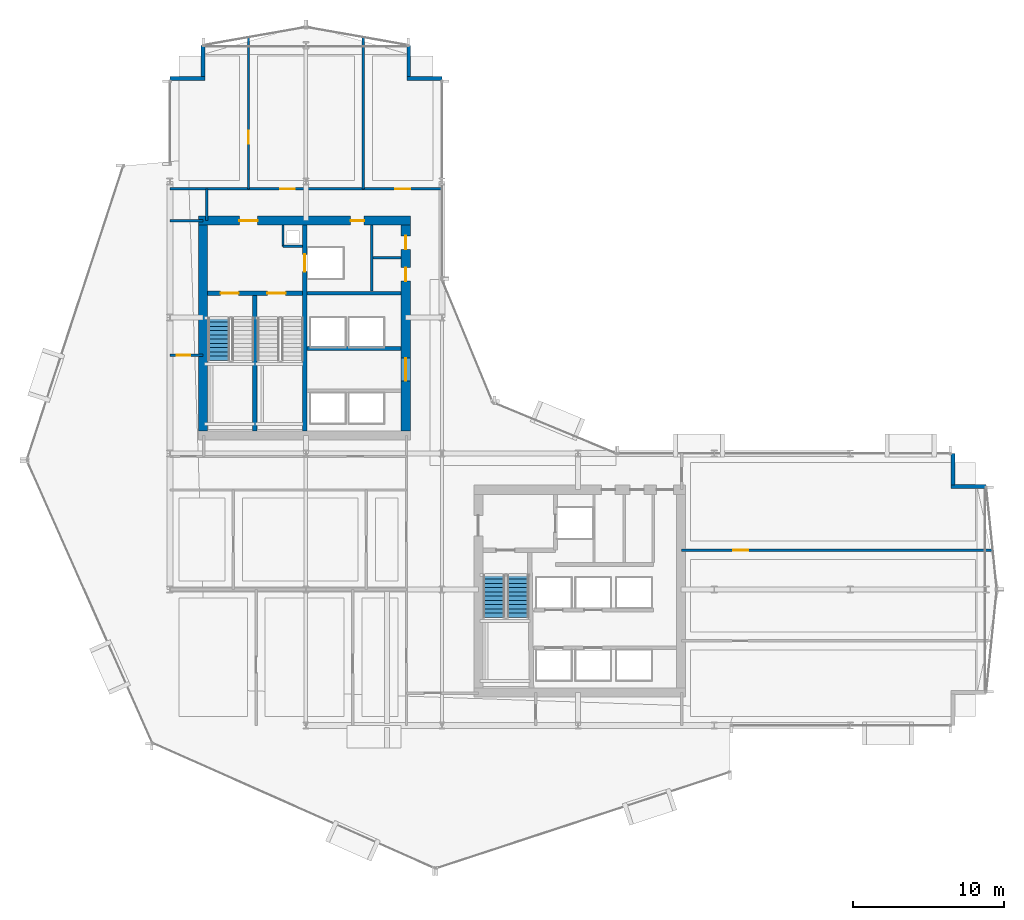
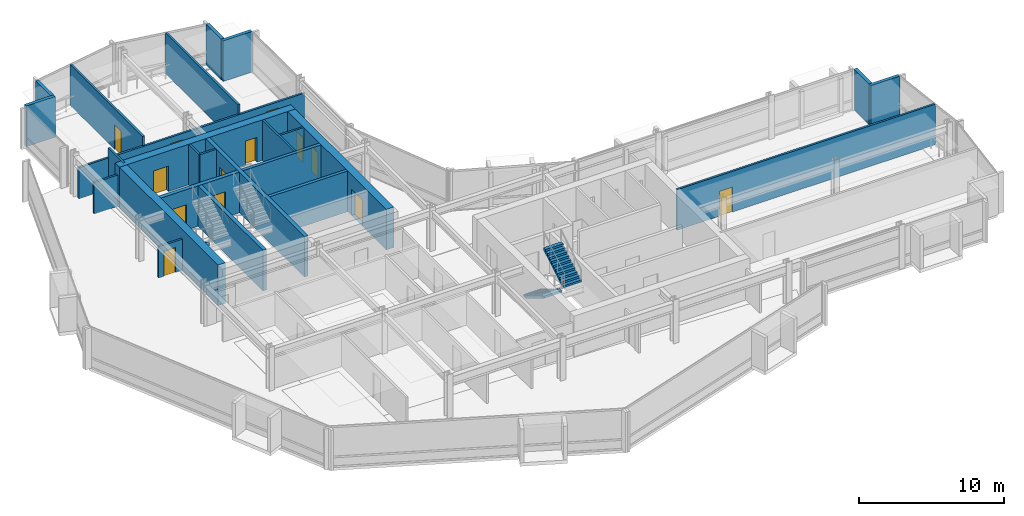
# One storey, part 28 of 34: 25 walls, 13 doors, 3 stair flights, 13 openings, 2 elements without a shape of their own.
"""IFC4 building model written with IfcOpenShell, lengths in metres."""

from ifc_helpers import new_model, si_unit, direction, frame, frame_2d, origin, place, context, subcontext, project, spatial, polyline, rectangle, outline, extrude, material, layer, layer_set, type_object, element, fill, aggregate, save


model = new_model("IFC4")

# Units and contexts
model_context = context("Model", 3, precision=1e-05, world=origin(), true_north=direction((0.0, 1.0)))
body_context = subcontext(model_context, "Body", "Model", "MODEL_VIEW")
ifc_project = project(units=[si_unit("LENGTHUNIT", "METRE"), si_unit("AREAUNIT", "SQUARE_METRE"), si_unit("VOLUMEUNIT", "CUBIC_METRE"), si_unit("PLANEANGLEUNIT", "RADIAN"), si_unit("MASSUNIT", "GRAM", prefix="KILO")], contexts=[model_context])

# Site, building, storey
site_placement = place(None, origin())
site = spatial("IfcSite", under=ifc_project, at=site_placement, CompositionType="ELEMENT")
building_placement = place(site_placement, origin())
building = spatial("IfcBuilding", under=site, at=building_placement, Name="Solvaryn Broadcast Tower", CompositionType="ELEMENT")
storey_placement = place(building_placement, frame((0.0, 0.0, 76.699951171875)))
storey = spatial("IfcBuildingStorey", under=building, at=storey_placement, Name="L18", CompositionType="ELEMENT", Elevation=76.699951171875)

# Wall, openings, doors
ifc_material_1 = material(Name="Concrete f'c 70 MPa", Category="concrete")
ifc_layer_1 = layer(ifc_material_1, 0.60009765625)
ifc_layer_set_1 = layer_set([ifc_layer_1], Name="CW-SHEAR-600")
wall_type_1 = type_object("IfcWallType", Name="CW-SHEAR-600", PredefinedType="SHEAR", material=ifc_layer_set_1)
wall_1_placement = place(storey_placement, frame((24.89990234375, 42.39990234375, 0.0), z_axis=(0.0, 0.0, 1.0), x_axis=(-1.0, 0.0, 0.0)))
wall_1 = element("IfcWall", 1, at=wall_1_placement, inside=storey, type_object=wall_type_1, Name="L18 West Core North Shear Wall", PredefinedType="SHEAR", context=body_context, shape_type="SweptSolid", body=[
    extrude(rectangle(XDim=14.0, YDim=0.60009765625, at=frame_2d((7.0, 0.0))), origin(), (0.0, 0.0, 1.0), 3.420166015625),
])
opening_1_placement = place(wall_1_placement, frame((10.10009765625, 0.0, 0.0)))
opening_1 = element("IfcOpeningElement", 2, at=opening_1_placement, cuts=wall_1, Name="Opening FD90A", PredefinedType="OPENING", context=body_context, shape_type="SweptSolid", body=[
    extrude(rectangle(XDim=1.199951171875, YDim=2.14990234375, at=frame_2d((0.60009765625, 1.074951171875))), frame((0.0, 0.31005859375, 0.0), z_axis=(0.0, -1.0, 0.0), x_axis=(1.0, 0.0, 0.0)), (0.0, 0.0, 1.0), 0.6201171875),
])
opening_2_placement = place(wall_1_placement, frame((3.050048828125, 0.0, 0.0)))
opening_2 = element("IfcOpeningElement", 3, at=opening_2_placement, cuts=wall_1, Name="Opening FD60C", PredefinedType="OPENING", context=body_context, shape_type="SweptSolid", body=[
    extrude(rectangle(XDim=0.89990234375, YDim=2.10009765625, at=frame_2d((0.449951171875, 1.050048828125))), frame((0.0, 0.31005859375, 0.0), z_axis=(0.0, -1.0, 0.0), x_axis=(1.0, 0.0, 0.0)), (0.0, 0.0, 1.0), 0.6201171875),
])
ifc_material_2 = material(Name="Flush Acoustic Steel and Timber Door Assembly", Category="steel")
door_type_1 = type_object("IfcDoorType", Name="FD60-SERV-900X2100", OperationType="NOTDEFINED", PredefinedType="DOOR", material=ifc_material_2)
door_1_placement = place(opening_2_placement, origin())
door_1 = element("IfcDoor", 4, at=door_1_placement, inside=storey, type_object=door_type_1, Name="L18 West Core Fiber Riser Door", OperationType="SINGLE_SWING_RIGHT", OverallHeight=2.10009765625, OverallWidth=0.89990234375, PredefinedType="DOOR", context=body_context, shape_type="SweptSolid", body=[
    extrude(rectangle(XDim=0.89990234375, YDim=2.10009765625, at=frame_2d((0.449951171875, 1.050048828125))), frame((0.0, 0.02490234375, 0.0), z_axis=(0.0, -1.0, 0.0), x_axis=(1.0, 0.0, 0.0)), (0.0, 0.0, 1.0), 0.050048828125),
])
fill(opening_2, door_1)
ifc_material_3 = material(Name="Flush Acoustic Steel and Timber Door Assembly", Category="steel")
door_type_2 = type_object("IfcDoorType", Name="FD90-STAIR-1200X2150", OperationType="NOTDEFINED", PredefinedType="DOOR", material=ifc_material_3)
door_2_placement = place(opening_1_placement, origin())
door_2 = element("IfcDoor", 5, at=door_2_placement, inside=storey, type_object=door_type_2, Name="L18 West FSAE Lobby Corridor Door", OperationType="SINGLE_SWING_LEFT", OverallHeight=2.14990234375, OverallWidth=1.199951171875, PredefinedType="DOOR", context=body_context, shape_type="SweptSolid", body=[
    extrude(rectangle(XDim=1.199951171875, YDim=2.14990234375, at=frame_2d((0.60009765625, 1.074951171875))), frame((0.0, 0.02490234375, 0.0), z_axis=(0.0, -1.0, 0.0), x_axis=(1.0, 0.0, 0.0)), (0.0, 0.0, 1.0), 0.050048828125),
])
fill(opening_1, door_2)

# Wall
wall_2_placement = place(storey_placement, frame((11.199951171875, 42.10009765625, 0.0), z_axis=(0.0, 0.0, 1.0), x_axis=(0.0, -1.0, 0.0)))
element("IfcWall", 6, at=wall_2_placement, inside=storey, type_object=wall_type_1, Name="L18 West Core West Shear Wall", PredefinedType="SHEAR", context=body_context, shape_type="SweptSolid", body=[
    extrude(rectangle(XDim=13.60009765625, YDim=0.60009765625, at=frame_2d((6.800048828125, 0.0))), origin(), (0.0, 0.0, 1.0), 3.420166015625),
])

# Wall, openings, doors
wall_3_placement = place(storey_placement, frame((24.60009765625, 28.5, 0.0), z_axis=(0.0, 0.0, 1.0), x_axis=(0.0, 1.0, 0.0)))
wall_3 = element("IfcWall", 7, at=wall_3_placement, inside=storey, type_object=wall_type_1, Name="L18 West Core East Shear Wall", PredefinedType="SHEAR", context=body_context, shape_type="SweptSolid", body=[
    extrude(rectangle(XDim=13.60009765625, YDim=0.60009765625, at=frame_2d((6.800048828125, 0.0))), origin(), (0.0, 0.0, 1.0), 3.420166015625),
])
opening_3_placement = place(wall_3_placement, frame((3.300048828125, 0.0, 0.0)))
opening_3 = element("IfcOpeningElement", 8, at=opening_3_placement, cuts=wall_3, Name="Opening FD60A", PredefinedType="OPENING", context=body_context, shape_type="SweptSolid", body=[
    extrude(rectangle(XDim=1.5, YDim=2.199951171875, at=frame_2d((0.75, 1.10009765625))), frame((0.0, 0.31005859375, 0.0), z_axis=(0.0, -1.0, 0.0), x_axis=(1.0, 0.0, 0.0)), (0.0, 0.0, 1.0), 0.6201171875),
])
opening_4_placement = place(wall_3_placement, frame((9.89990234375, 0.0, 0.0)))
opening_4 = element("IfcOpeningElement", 9, at=opening_4_placement, cuts=wall_3, Name="Opening FD60C", PredefinedType="OPENING", context=body_context, shape_type="SweptSolid", body=[
    extrude(rectangle(XDim=0.89990234375, YDim=2.10009765625, at=frame_2d((0.449951171875, 1.050048828125))), frame((0.0, 0.31005859375, 0.0), z_axis=(0.0, -1.0, 0.0), x_axis=(1.0, 0.0, 0.0)), (0.0, 0.0, 1.0), 0.6201171875),
])
opening_5_placement = place(wall_3_placement, frame((12.0, 0.0, 0.0)))
opening_5 = element("IfcOpeningElement", 10, at=opening_5_placement, cuts=wall_3, Name="Opening FD60C", PredefinedType="OPENING", context=body_context, shape_type="SweptSolid", body=[
    extrude(rectangle(XDim=0.89990234375, YDim=2.10009765625, at=frame_2d((0.449951171875, 1.050048828125))), frame((0.0, 0.31005859375, 0.0), z_axis=(0.0, -1.0, 0.0), x_axis=(1.0, 0.0, 0.0)), (0.0, 0.0, 1.0), 0.6201171875),
])
ifc_material_4 = material(Name="Flush Acoustic Steel and Timber Door Assembly", Category="steel")
door_type_3 = type_object("IfcDoorType", Name="FD60-CORR-1500X2200", OperationType="NOTDEFINED", PredefinedType="DOOR", material=ifc_material_4)
door_3_placement = place(opening_3_placement, origin())
door_3 = element("IfcDoor", 11, at=door_3_placement, inside=storey, type_object=door_type_3, Name="L18 West Elevator Lobby Corridor Door", OperationType="DOUBLE_DOOR_SINGLE_SWING", OverallHeight=2.199951171875, OverallWidth=1.5, PredefinedType="DOOR", context=body_context, shape_type="SweptSolid", body=[
    extrude(rectangle(XDim=1.5, YDim=2.199951171875, at=frame_2d((0.75, 1.10009765625))), frame((0.0, 0.02490234375, 0.0), z_axis=(0.0, -1.0, 0.0), x_axis=(1.0, 0.0, 0.0)), (0.0, 0.0, 1.0), 0.050048828125),
])
fill(opening_3, door_3)
door_4_placement = place(opening_4_placement, origin())
door_4 = element("IfcDoor", 12, at=door_4_placement, inside=storey, type_object=door_type_1, Name="L18 West Core Service Door 1", OperationType="SINGLE_SWING_LEFT", OverallHeight=2.10009765625, OverallWidth=0.89990234375, PredefinedType="DOOR", context=body_context, shape_type="SweptSolid", body=[
    extrude(rectangle(XDim=0.89990234375, YDim=2.10009765625, at=frame_2d((0.449951171875, 1.050048828125))), frame((0.0, 0.02490234375, 0.0), z_axis=(0.0, -1.0, 0.0), x_axis=(1.0, 0.0, 0.0)), (0.0, 0.0, 1.0), 0.050048828125),
])
fill(opening_4, door_4)
door_5_placement = place(opening_5_placement, origin())
door_5 = element("IfcDoor", 13, at=door_5_placement, inside=storey, type_object=door_type_1, Name="L18 West Core Janitor Door", OperationType="SINGLE_SWING_RIGHT", OverallHeight=2.10009765625, OverallWidth=0.89990234375, PredefinedType="DOOR", context=body_context, shape_type="SweptSolid", body=[
    extrude(rectangle(XDim=0.89990234375, YDim=2.10009765625, at=frame_2d((0.449951171875, 1.050048828125))), frame((0.0, 0.02490234375, 0.0), z_axis=(0.0, -1.0, 0.0), x_axis=(1.0, 0.0, 0.0)), (0.0, 0.0, 1.0), 0.050048828125),
])
fill(opening_5, door_5)

# Walls
ifc_material_5 = material(Name="Concrete f'c 50 MPa", Category="concrete")
ifc_layer_2 = layer(ifc_material_5, 0.260009765625)
ifc_layer_set_2 = layer_set([ifc_layer_2], Name="EW-PIER-260")
wall_type_2 = type_object("IfcWallType", Name="EW-PIER-260", PredefinedType="SOLIDWALL", material=ifc_layer_set_2)
wall_4_placement = place(storey_placement, frame((9.0, 51.800048828125, 0.0), z_axis=(0.0, 0.0, 1.0), x_axis=(1.0, 0.0, 0.0)))
element("IfcWall", 14, at=wall_4_placement, inside=storey, type_object=wall_type_2, Name="L18 Notched Corner Pier Wall NNW1", PredefinedType="SOLIDWALL", context=body_context, shape_type="SweptSolid", body=[
    extrude(rectangle(XDim=2.320068359375, YDim=0.260009765625, at=frame_2d((1.16015625, 0.0))), origin(), (0.0, 0.0, 1.0), 3.420166015625),
])
for number, where, z_axis, x_axis, name in (
    (15, (11.199951171875, 51.919921875, 0.0), (0.0, 0.0, 1.0), (0.0, 1.0, 0.0), "L18 Notched Corner Pier Wall NNW2"),
    (16, (24.800048828125, 54.0, 0.0), (0.0, 0.0, 1.0), (0.0, -1.0, 0.0), "L18 Notched Corner Pier Wall NNE1"),
):
    element("IfcWall", number, at=place(storey_placement, frame(where, z_axis=z_axis, x_axis=x_axis)), inside=storey, type_object=wall_type_2, Name=name, PredefinedType="SOLIDWALL", context=body_context, shape_type="SweptSolid", body=[
        extrude(rectangle(XDim=2.080078125, YDim=0.260009765625, at=frame_2d((1.0400390625, 0.0))), origin(), (0.0, 0.0, 1.0), 3.420166015625),
    ])
for number, where, z_axis, x_axis, name in (
    (17, (24.679931640625, 51.800048828125, 0.0), (0.0, 0.0, 1.0), (1.0, 0.0, 0.0), "L18 Notched Corner Pier Wall NNE2"),
    (18, (63.0, 24.800048828125, 0.0), (0.0, 0.0, 1.0), (-1.0, 0.0, 0.0), "L18 Notched Corner Pier Wall NEE1"),
):
    element("IfcWall", number, at=place(storey_placement, frame(where, z_axis=z_axis, x_axis=x_axis)), inside=storey, type_object=wall_type_2, Name=name, PredefinedType="SOLIDWALL", context=body_context, shape_type="SweptSolid", body=[
        extrude(rectangle(XDim=2.320068359375, YDim=0.260009765625, at=frame_2d((1.16015625, 0.0))), origin(), (0.0, 0.0, 1.0), 3.420166015625),
    ])
wall_5_placement = place(storey_placement, frame((60.800048828125, 24.919921875, 0.0), z_axis=(0.0, 0.0, 1.0), x_axis=(0.0, 1.0, 0.0)))
element("IfcWall", 19, at=wall_5_placement, inside=storey, type_object=wall_type_2, Name="L18 Notched Corner Pier Wall NEE2", PredefinedType="SOLIDWALL", context=body_context, shape_type="SweptSolid", body=[
    extrude(rectangle(XDim=2.080078125, YDim=0.260009765625, at=frame_2d((1.0400390625, 0.0))), origin(), (0.0, 0.0, 1.0), 3.420166015625),
])
ifc_material_6 = material(Name="Metal-Stud Service Core Partition")
ifc_layer_3 = layer(ifc_material_6, 0.14990234375)
ifc_layer_set_3 = layer_set([ifc_layer_3], Name="IW-PART-150")
wall_type_3 = type_object("IfcWallType", Name="IW-PART-150", PredefinedType="PARTITIONING", material=ifc_layer_set_3)
wall_6_placement = place(storey_placement, frame((16.47998046875, 40.699951171875, 0.0), z_axis=(0.0, 0.0, 1.0), x_axis=(1.0, 0.0, 0.0)))
element("IfcWall", 20, at=wall_6_placement, inside=storey, type_object=wall_type_3, Name="L18 West Core Riser Shaft South Wall", PredefinedType="PARTITIONING", context=body_context, shape_type="SweptSolid", body=[
    extrude(rectangle(XDim=1.2900390625, YDim=0.14990234375, at=frame_2d((0.64501953125, 0.0))), origin(), (0.0, 0.0, 1.0), 3.420166015625),
])
wall_7_placement = place(storey_placement, frame((16.47998046875, 40.699951171875, 0.0), z_axis=(0.0, 0.0, 1.0), x_axis=(0.0, 1.0, 0.0)))
element("IfcWall", 21, at=wall_7_placement, inside=storey, type_object=wall_type_3, Name="L18 West Core Riser Shaft West Wall", PredefinedType="PARTITIONING", context=body_context, shape_type="SweptSolid", body=[
    extrude(rectangle(XDim=1.400146484375, YDim=0.14990234375, at=frame_2d((0.7001953125, 0.0))), origin(), (0.0, 0.0, 1.0), 3.420166015625),
])
wall_8_placement = place(storey_placement, frame((22.35009765625, 37.72998046875, 0.0), z_axis=(0.0, 0.0, 1.0), x_axis=(0.0, 1.0, 0.0)))
element("IfcWall", 22, at=wall_8_placement, inside=storey, type_object=wall_type_3, Name="L18 Interior Partition IW-L18-CWS-V", PredefinedType="PARTITIONING", context=body_context, shape_type="SweptSolid", body=[
    extrude(rectangle(XDim=4.3701171875, YDim=0.14990234375, at=frame_2d((2.18505859375, 0.0))), origin(), (0.0, 0.0, 1.0), 3.420166015625),
])
wall_9_placement = place(storey_placement, frame((22.429931640625, 39.949951171875, 0.0), z_axis=(0.0, 0.0, 1.0), x_axis=(1.0, 0.0, 0.0)))
element("IfcWall", 23, at=wall_9_placement, inside=storey, type_object=wall_type_3, Name="L18 Interior Partition IW-L18-CWS-H", PredefinedType="PARTITIONING", context=body_context, shape_type="SweptSolid", body=[
    extrude(rectangle(XDim=1.8701171875, YDim=0.14990234375, at=frame_2d((0.93505859375, 0.0))), origin(), (0.0, 0.0, 1.0), 3.420166015625),
])

# Wall, opening, door
wall_10_placement = place(storey_placement, frame((9.0, 33.5, 0.0), z_axis=(0.0, 0.0, 1.0), x_axis=(1.0, 0.0, 0.0)))
wall_10 = element("IfcWall", 24, at=wall_10_placement, inside=storey, type_object=wall_type_3, Name="L18 Interior Partition IW-L18-WM-M", PredefinedType="PARTITIONING", context=body_context, shape_type="SweptSolid", body=[
    extrude(rectangle(XDim=2.199951171875, YDim=0.14990234375, at=frame_2d((1.10009765625, 0.0))), origin(), (0.0, 0.0, 1.0), 2.626953125),
])
opening_6_placement = place(wall_10_placement, frame((0.449951171875, 0.0, 0.0)))
opening_6 = element("IfcOpeningElement", 25, at=opening_6_placement, cuts=wall_10, Name="Opening FD60C", PredefinedType="OPENING", context=body_context, shape_type="SweptSolid", body=[
    extrude(rectangle(XDim=0.89990234375, YDim=2.10009765625, at=frame_2d((0.449951171875, 1.050048828125))), frame((0.0, 0.0849609375, 0.0), z_axis=(0.0, -1.0, 0.0), x_axis=(1.0, 0.0, 0.0)), (0.0, 0.0, 1.0), 0.169921875),
])
door_6_placement = place(opening_6_placement, origin())
door_6 = element("IfcDoor", 26, at=door_6_placement, inside=storey, type_object=door_type_1, Name="L18 Door DR-L18-WM1", OperationType="SINGLE_SWING_LEFT", OverallHeight=2.10009765625, OverallWidth=0.89990234375, PredefinedType="DOOR", context=body_context, shape_type="SweptSolid", body=[
    extrude(rectangle(XDim=0.89990234375, YDim=2.10009765625, at=frame_2d((0.449951171875, 1.050048828125))), frame((0.0, 0.02490234375, 0.0), z_axis=(0.0, -1.0, 0.0), x_axis=(1.0, 0.0, 0.0)), (0.0, 0.0, 1.0), 0.050048828125),
])
fill(opening_6, door_6)

# Walls
ifc_material_7 = material(Name="Metal-Stud Gypsum Office Partition")
ifc_layer_4 = layer(ifc_material_7, 0.159912109375)
ifc_layer_set_4 = layer_set([ifc_layer_4], Name="IW-PART-160")
wall_type_4 = type_object("IfcWallType", Name="IW-PART-160", PredefinedType="PARTITIONING", material=ifc_layer_set_4)
wall_11_placement = place(storey_placement, frame((9.0, 42.39990234375, 0.0), z_axis=(0.0, 0.0, 1.0), x_axis=(1.0, 0.0, 0.0)))
element("IfcWall", 27, at=wall_11_placement, inside=storey, type_object=wall_type_4, Name="L18 Interior Partition IW-L18-WM-N", PredefinedType="PARTITIONING", context=body_context, shape_type="SweptSolid", body=[
    extrude(rectangle(XDim=2.199951171875, YDim=0.159912109375, at=frame_2d((1.10009765625, 0.0))), origin(), (0.0, 0.0, 1.0), 2.626953125),
])
wall_12_placement = place(storey_placement, frame((11.449951171875, 42.39990234375, 0.0), z_axis=(0.0, 0.0, 1.0), x_axis=(0.0, 1.0, 0.0)))
element("IfcWall", 28, at=wall_12_placement, inside=storey, type_object=wall_type_4, Name="L18 Interior Partition IW-L18-WM-E", PredefinedType="PARTITIONING", context=body_context, shape_type="SweptSolid", body=[
    extrude(rectangle(XDim=2.10009765625, YDim=0.159912109375, at=frame_2d((1.050048828125, 0.0))), origin(), (0.0, 0.0, 1.0), 3.420166015625),
])

# Wall, openings, doors
wall_13_placement = place(storey_placement, frame((9.0, 44.5, 0.0), z_axis=(0.0, 0.0, 1.0), x_axis=(1.0, 0.0, 0.0)))
wall_13 = element("IfcWall", 29, at=wall_13_placement, inside=storey, type_object=wall_type_4, Name="L18 Interior Partition IW-L18-NW-SB", PredefinedType="PARTITIONING", context=body_context, shape_type="SweptSolid", body=[
    extrude(rectangle(XDim=18.0, YDim=0.159912109375, at=frame_2d((9.0, 0.0))), origin(), (0.0, 0.0, 1.0), 2.626953125),
])
opening_7_placement = place(wall_13_placement, frame((7.300048828125, 0.0, 0.0)))
opening_7 = element("IfcOpeningElement", 30, at=opening_7_placement, cuts=wall_13, Name="Opening ID01", PredefinedType="OPENING", context=body_context, shape_type="SweptSolid", body=[
    extrude(rectangle(XDim=0.949951171875, YDim=2.10009765625, at=frame_2d((0.47509765625, 1.050048828125))), frame((0.0, 0.090087890625, 0.0), z_axis=(0.0, -1.0, 0.0), x_axis=(1.0, 0.0, 0.0)), (0.0, 0.0, 1.0), 0.179931640625),
])
opening_8_placement = place(wall_13_placement, frame((14.89990234375, 0.0, 0.0)))
opening_8 = element("IfcOpeningElement", 31, at=opening_8_placement, cuts=wall_13, Name="Opening ID02", PredefinedType="OPENING", context=body_context, shape_type="SweptSolid", body=[
    extrude(rectangle(XDim=1.0, YDim=2.10009765625, at=frame_2d((0.5, 1.050048828125))), frame((0.0, 0.090087890625, 0.0), z_axis=(0.0, -1.0, 0.0), x_axis=(1.0, 0.0, 0.0)), (0.0, 0.0, 1.0), 0.179931640625),
])
ifc_material_8 = material(Name="Flush Acoustic Steel and Timber Door Assembly", Category="steel")
door_type_4 = type_object("IfcDoorType", Name="ID-01-950X2100", OperationType="NOTDEFINED", PredefinedType="DOOR", material=ifc_material_8)
door_7_placement = place(opening_7_placement, origin())
door_7 = element("IfcDoor", 32, at=door_7_placement, inside=storey, type_object=door_type_4, Name="L18 Door DR-L18-NW-2", OperationType="SINGLE_SWING_RIGHT", OverallHeight=2.10009765625, OverallWidth=0.949951171875, PredefinedType="DOOR", context=body_context, shape_type="SweptSolid", body=[
    extrude(rectangle(XDim=0.949951171875, YDim=2.10009765625, at=frame_2d((0.47509765625, 1.050048828125))), frame((0.0, 0.02490234375, 0.0), z_axis=(0.0, -1.0, 0.0), x_axis=(1.0, 0.0, 0.0)), (0.0, 0.0, 1.0), 0.050048828125),
])
fill(opening_7, door_7)
ifc_material_9 = material(Name="Flush Acoustic Steel and Timber Door Assembly", Category="steel")
door_type_5 = type_object("IfcDoorType", Name="ID-02-1000X2100", OperationType="NOTDEFINED", PredefinedType="DOOR", material=ifc_material_9)
door_8_placement = place(opening_8_placement, origin())
door_8 = element("IfcDoor", 33, at=door_8_placement, inside=storey, type_object=door_type_5, Name="L18 Door DR-L18-NW-3", OperationType="SINGLE_SWING_LEFT", OverallHeight=2.10009765625, OverallWidth=1.0, PredefinedType="DOOR", context=body_context, shape_type="SweptSolid", body=[
    extrude(rectangle(XDim=1.0, YDim=2.10009765625, at=frame_2d((0.5, 1.050048828125))), frame((0.0, 0.02490234375, 0.0), z_axis=(0.0, -1.0, 0.0), x_axis=(1.0, 0.0, 0.0)), (0.0, 0.0, 1.0), 0.050048828125),
])
fill(opening_8, door_8)

# Wall, opening, door
wall_14_placement = place(storey_placement, frame((14.199951171875, 44.5, 0.0), z_axis=(0.0, 0.0, 1.0), x_axis=(0.0, 1.0, 0.0)))
wall_14 = element("IfcWall", 34, at=wall_14_placement, inside=storey, type_object=wall_type_4, Name="L18 Interior Partition IW-L18-NW-V1", PredefinedType="PARTITIONING", context=body_context, shape_type="SweptSolid", body=[
    extrude(rectangle(XDim=10.029052734375, YDim=0.159912109375, at=frame_2d((5.0146484375, 0.0))), origin(), (0.0, 0.0, 1.0), 3.420166015625),
])
opening_9_placement = place(wall_14_placement, frame((3.0, 0.0, 0.0)))
opening_9 = element("IfcOpeningElement", 35, at=opening_9_placement, cuts=wall_14, Name="Opening ID07", PredefinedType="OPENING", context=body_context, shape_type="SweptSolid", body=[
    extrude(rectangle(XDim=0.860107421875, YDim=2.050048828125, at=frame_2d((0.43017578125, 1.02490234375))), frame((0.0, 0.090087890625, 0.0), z_axis=(0.0, -1.0, 0.0), x_axis=(1.0, 0.0, 0.0)), (0.0, 0.0, 1.0), 0.179931640625),
])
ifc_material_10 = material(Name="Flush Acoustic Steel and Timber Door Assembly", Category="steel")
door_type_6 = type_object("IfcDoorType", Name="ID-07-860X2050", OperationType="NOTDEFINED", PredefinedType="DOOR", material=ifc_material_10)
door_9_placement = place(opening_9_placement, origin())
door_9 = element("IfcDoor", 36, at=door_9_placement, inside=storey, type_object=door_type_6, Name="L18 Door DR-L18-NW-C1", OperationType="SINGLE_SWING_LEFT", OverallHeight=2.050048828125, OverallWidth=0.860107421875, PredefinedType="DOOR", context=body_context, shape_type="SweptSolid", body=[
    extrude(rectangle(XDim=0.860107421875, YDim=2.050048828125, at=frame_2d((0.43017578125, 1.02490234375))), frame((0.0, 0.02490234375, 0.0), z_axis=(0.0, -1.0, 0.0), x_axis=(1.0, 0.0, 0.0)), (0.0, 0.0, 1.0), 0.050048828125),
])
fill(opening_9, door_9)

# Wall
wall_15_placement = place(storey_placement, frame((21.800048828125, 44.5, 0.0), z_axis=(0.0, 0.0, 1.0), x_axis=(0.0, 1.0, 0.0)))
element("IfcWall", 37, at=wall_15_placement, inside=storey, type_object=wall_type_4, Name="L18 Interior Partition IW-L18-NW-V2", PredefinedType="PARTITIONING", context=body_context, shape_type="SweptSolid", body=[
    extrude(rectangle(XDim=10.029052734375, YDim=0.159912109375, at=frame_2d((5.0146484375, 0.0))), origin(), (0.0, 0.0, 1.0), 3.420166015625),
])

# Wall, opening, door
wall_16_placement = place(storey_placement, frame((42.85009765625, 20.60009765625, 0.0), z_axis=(0.0, 0.0, 1.0), x_axis=(1.0, 0.0, 0.0)))
wall_16 = element("IfcWall", 38, at=wall_16_placement, inside=storey, type_object=wall_type_4, Name="L18 Interior Partition IW-L18-EW-H2", PredefinedType="PARTITIONING", context=body_context, shape_type="SweptSolid", body=[
    extrude(rectangle(XDim=20.581787109375, YDim=0.159912109375, at=frame_2d((10.291015625, 0.0))), origin(), (0.0, 0.0, 1.0), 3.420166015625),
])
opening_10_placement = place(wall_16_placement, frame((3.39990234375, 0.0, 0.0)))
opening_10 = element("IfcOpeningElement", 39, at=opening_10_placement, cuts=wall_16, Name="Opening ID02", PredefinedType="OPENING", context=body_context, shape_type="SweptSolid", body=[
    extrude(rectangle(XDim=1.0, YDim=2.10009765625, at=frame_2d((0.5, 1.050048828125))), frame((0.0, 0.090087890625, 0.0), z_axis=(0.0, -1.0, 0.0), x_axis=(1.0, 0.0, 0.0)), (0.0, 0.0, 1.0), 0.179931640625),
])
door_10_placement = place(opening_10_placement, origin())
door_10 = element("IfcDoor", 40, at=door_10_placement, inside=storey, type_object=door_type_5, Name="L18 Door DR-L18-EW-2", OperationType="SINGLE_SWING_RIGHT", OverallHeight=2.10009765625, OverallWidth=1.0, PredefinedType="DOOR", context=body_context, shape_type="SweptSolid", body=[
    extrude(rectangle(XDim=1.0, YDim=2.10009765625, at=frame_2d((0.5, 1.050048828125))), frame((0.0, 0.02490234375, 0.0), z_axis=(0.0, -1.0, 0.0), x_axis=(1.0, 0.0, 0.0)), (0.0, 0.0, 1.0), 0.050048828125),
])
fill(opening_10, door_10)

# Walls
ifc_material_11 = material(Name="Concrete f'c 60 MPa", Category="concrete")
ifc_layer_5 = layer(ifc_material_11, 0.25)
ifc_layer_set_5 = layer_set([ifc_layer_5], Name="SW-SHAFT-250")
wall_type_5 = type_object("IfcWallType", Name="SW-SHAFT-250", PredefinedType="PARTITIONING", material=ifc_layer_set_5)
for number, where, z_axis, x_axis, name in (
    (41, (18.070068359375, 37.60009765625, 0.0), (0.0, 0.0, 1.0), (1.0, 0.0, 0.0), "L18 West Core FSAE Hoistway Front Wall"),
    (42, (24.300048828125, 33.949951171875, 0.0), (0.0, 0.0, 1.0), (-1.0, 0.0, 0.0), "L18 High-Rise Lift Bank North Wall"),
):
    element("IfcWall", number, at=place(storey_placement, frame(where, z_axis=z_axis, x_axis=x_axis)), inside=storey, type_object=wall_type_5, Name=name, PredefinedType="PARTITIONING", context=body_context, shape_type="SweptSolid", body=[
        extrude(rectangle(XDim=6.22998046875, YDim=0.25, at=frame_2d((3.114990234375, 0.0))), origin(), (0.0, 0.0, 1.0), 3.420166015625),
    ])
ifc_material_12 = material(Name="Concrete f'c 70 MPa", Category="concrete")
ifc_layer_6 = layer(ifc_material_12, 0.300048828125)
ifc_layer_set_6 = layer_set([ifc_layer_6], Name="SW-SHAFT-300")
wall_type_6 = type_object("IfcWallType", Name="SW-SHAFT-300", PredefinedType="SHEAR", material=ifc_layer_set_6)
wall_17_placement = place(storey_placement, frame((14.6201171875, 28.5, 0.0), z_axis=(0.0, 0.0, 1.0), x_axis=(0.0, 1.0, 0.0)))
element("IfcWall", 43, at=wall_17_placement, inside=storey, type_object=wall_type_6, Name="L18 Stair 1-2 Dividing Wall", PredefinedType="SHEAR", context=body_context, shape_type="SweptSolid", body=[
    extrude(rectangle(XDim=8.949951171875, YDim=0.300048828125, at=frame_2d((4.47509765625, 0.0))), origin(), (0.0, 0.0, 1.0), 3.420166015625),
])

# Wall, opening, door
wall_18_placement = place(storey_placement, frame((17.919921875, 42.10009765625, 0.0), z_axis=(0.0, 0.0, 1.0), x_axis=(0.0, -1.0, 0.0)))
wall_18 = element("IfcWall", 44, at=wall_18_placement, inside=storey, type_object=wall_type_6, Name="L18 West Core Stair-Lobby Shear Wall", PredefinedType="SHEAR", context=body_context, shape_type="SweptSolid", body=[
    extrude(rectangle(XDim=13.60009765625, YDim=0.300048828125, at=frame_2d((6.800048828125, 0.0))), origin(), (0.0, 0.0, 1.0), 3.420166015625),
])
opening_11_placement = place(wall_18_placement, frame((1.925048828125, 0.0, 0.0)))
opening_11 = element("IfcOpeningElement", 45, at=opening_11_placement, cuts=wall_18, Name="Opening LD01", PredefinedType="OPENING", context=body_context, shape_type="SweptSolid", body=[
    extrude(rectangle(XDim=1.14990234375, YDim=2.14990234375, at=frame_2d((0.574951171875, 1.074951171875))), frame((0.0, 0.159912109375, 0.0), z_axis=(0.0, -1.0, 0.0), x_axis=(1.0, 0.0, 0.0)), (0.0, 0.0, 1.0), 0.320068359375),
])
ifc_material_13 = material(Name="Flush Acoustic Steel and Timber Door Assembly", Category="steel")
door_type_7 = type_object("IfcDoorType", Name="LD-LIFT-1150X2150", OperationType="NOTDEFINED", PredefinedType="DOOR", material=ifc_material_13)
door_11_placement = place(opening_11_placement, origin())
door_11 = element("IfcDoor", 46, at=door_11_placement, inside=storey, type_object=door_type_7, Name="L18 FL1 Lift Landing Door", OperationType="DOUBLE_DOOR_SLIDING", OverallHeight=2.14990234375, OverallWidth=1.14990234375, PredefinedType="DOOR", context=body_context, shape_type="SweptSolid", body=[
    extrude(rectangle(XDim=1.14990234375, YDim=2.14990234375, at=frame_2d((0.574951171875, 1.074951171875))), frame((0.0, 0.02490234375, 0.0), z_axis=(0.0, -1.0, 0.0), x_axis=(1.0, 0.0, 0.0)), (0.0, 0.0, 1.0), 0.050048828125),
])
fill(opening_11, door_11)

# Wall, openings, doors
wall_19_placement = place(storey_placement, frame((17.77001953125, 37.60009765625, 0.0), z_axis=(0.0, 0.0, 1.0), x_axis=(-1.0, 0.0, 0.0)))
wall_19 = element("IfcWall", 47, at=wall_19_placement, inside=storey, type_object=wall_type_6, Name="L18 West Core FSAE Lobby South Wall", PredefinedType="SHEAR", context=body_context, shape_type="SweptSolid", body=[
    extrude(rectangle(XDim=6.27001953125, YDim=0.300048828125, at=frame_2d((3.135009765625, 0.0))), origin(), (0.0, 0.0, 1.0), 3.420166015625),
])
opening_12_placement = place(wall_19_placement, frame((4.219970703125, 0.0, 0.0)))
opening_12 = element("IfcOpeningElement", 48, at=opening_12_placement, cuts=wall_19, Name="Opening FD90A", PredefinedType="OPENING", context=body_context, shape_type="SweptSolid", body=[
    extrude(rectangle(XDim=1.199951171875, YDim=2.14990234375, at=frame_2d((0.60009765625, 1.074951171875))), frame((0.0, 0.159912109375, 0.0), z_axis=(0.0, -1.0, 0.0), x_axis=(1.0, 0.0, 0.0)), (0.0, 0.0, 1.0), 0.320068359375),
])
opening_13_placement = place(wall_19_placement, frame((1.1201171875, 0.0, 0.0)))
opening_13 = element("IfcOpeningElement", 49, at=opening_13_placement, cuts=wall_19, Name="Opening FD90A", PredefinedType="OPENING", context=body_context, shape_type="SweptSolid", body=[
    extrude(rectangle(XDim=1.199951171875, YDim=2.14990234375, at=frame_2d((0.60009765625, 1.074951171875))), frame((0.0, 0.159912109375, 0.0), z_axis=(0.0, -1.0, 0.0), x_axis=(1.0, 0.0, 0.0)), (0.0, 0.0, 1.0), 0.320068359375),
])
door_12_placement = place(opening_12_placement, origin())
door_12 = element("IfcDoor", 50, at=door_12_placement, inside=storey, type_object=door_type_2, Name="L18 Stair 1 Fire Door", OperationType="SINGLE_SWING_LEFT", OverallHeight=2.14990234375, OverallWidth=1.199951171875, PredefinedType="DOOR", context=body_context, shape_type="SweptSolid", body=[
    extrude(rectangle(XDim=1.199951171875, YDim=2.14990234375, at=frame_2d((0.60009765625, 1.074951171875))), frame((0.0, 0.02490234375, 0.0), z_axis=(0.0, -1.0, 0.0), x_axis=(1.0, 0.0, 0.0)), (0.0, 0.0, 1.0), 0.050048828125),
])
fill(opening_12, door_12)
door_13_placement = place(opening_13_placement, origin())
door_13 = element("IfcDoor", 51, at=door_13_placement, inside=storey, type_object=door_type_2, Name="L18 Stair 2 Fire Door", OperationType="SINGLE_SWING_RIGHT", OverallHeight=2.14990234375, OverallWidth=1.199951171875, PredefinedType="DOOR", context=body_context, shape_type="SweptSolid", body=[
    extrude(rectangle(XDim=1.199951171875, YDim=2.14990234375, at=frame_2d((0.60009765625, 1.074951171875))), frame((0.0, 0.02490234375, 0.0), z_axis=(0.0, -1.0, 0.0), x_axis=(1.0, 0.0, 0.0)), (0.0, 0.0, 1.0), 0.050048828125),
])
fill(opening_13, door_13)

# Stair, stair flight
ifc_material_14 = material(Name="Concrete f'c 60 MPa", Category="concrete")
stair_type = type_object("IfcStairType", Name="ST-CORE", PredefinedType="HALF_TURN_STAIR", material=ifc_material_14)
stair_1_placement = place(storey_placement, origin())
stair_1 = element("IfcStair", 52, at=stair_1_placement, inside=storey, type_object=stair_type, Name="L18 ST1", PredefinedType="HALF_TURN_STAIR")
ifc_material_15 = material(Name="Concrete f'c 60 MPa", Category="concrete")
ifc_layer_7 = layer(ifc_material_15, 0.159912109375)
ifc_layer_set_7 = layer_set([ifc_layer_7], Name="SF-CORE")
stair_flight_type = type_object("IfcStairFlightType", Name="SF-CORE", PredefinedType="STRAIGHT", material=ifc_layer_set_7)
stair_flight_1_placement = place(storey_placement, frame((12.239990234375, 35.9599609375, 0.0), z_axis=(0.0, 0.0, 1.0), x_axis=(0.0, -1.0, 0.0)))
stair_flight_1 = element("IfcStairFlight", 53, at=stair_flight_1_placement, type_object=stair_flight_type, Name="ST1 flight 1", NumberOfRisers=11, NumberOfTreads=10, PredefinedType="STRAIGHT", RiserHeight=0.168181818, TreadLength=0.28, context=body_context, shape_type="SweptSolid", body=[
    extrude(outline(polyline([(0.0, 0.0), (0.0, 0.168212890625), (0.280029296875, 0.168212890625), (0.280029296875, 0.33642578125), (0.56005859375, 0.33642578125), (0.56005859375, 0.504638671875), (0.840087890625, 0.504638671875), (0.840087890625, 0.672607421875), (1.1201171875, 0.672607421875), (1.1201171875, 0.8408203125), (1.39990234375, 0.8408203125), (1.39990234375, 1.009033203125), (1.679931640625, 1.009033203125), (1.679931640625, 1.17724609375), (1.9599609375, 1.17724609375), (1.9599609375, 1.345458984375), (2.239990234375, 1.345458984375), (2.239990234375, 1.513671875), (2.52001953125, 1.513671875), (2.52001953125, 1.681884765625), (2.800048828125, 1.681884765625), (2.800048828125, 1.85009765625), (2.800048828125, 1.5068359375), (0.291015625, 0.0), (0.0, 0.0)])), frame((0.0, 0.719970703125, 0.0), z_axis=(0.0, -1.0, 0.0), x_axis=(1.0, 0.0, 0.0)), (0.0, 0.0, 1.0), 1.43994140625),
])
aggregate(stair_1, [stair_flight_1])

# Stair, stair flights
stair_2_placement = place(storey_placement, origin())
stair_2 = element("IfcStair", 54, at=stair_2_placement, inside=storey, type_object=stair_type, Name="L18 ST3", PredefinedType="HALF_TURN_STAIR")
stair_flight_2_placement = place(storey_placement, frame((30.43994140625, 18.9599609375, 0.0), z_axis=(0.0, 0.0, 1.0), x_axis=(0.0, -1.0, 0.0)))
stair_flight_2 = element("IfcStairFlight", 55, at=stair_flight_2_placement, type_object=stair_flight_type, Name="ST3 flight 1", NumberOfRisers=11, NumberOfTreads=10, PredefinedType="STRAIGHT", RiserHeight=0.168181818, TreadLength=0.28, context=body_context, shape_type="SweptSolid", body=[
    extrude(outline(polyline([(0.0, 0.0), (0.0, 0.168212890625), (0.280029296875, 0.168212890625), (0.280029296875, 0.33642578125), (0.56005859375, 0.33642578125), (0.56005859375, 0.504638671875), (0.840087890625, 0.504638671875), (0.840087890625, 0.672607421875), (1.1201171875, 0.672607421875), (1.1201171875, 0.8408203125), (1.39990234375, 0.8408203125), (1.39990234375, 1.009033203125), (1.679931640625, 1.009033203125), (1.679931640625, 1.17724609375), (1.9599609375, 1.17724609375), (1.9599609375, 1.345458984375), (2.239990234375, 1.345458984375), (2.239990234375, 1.513671875), (2.52001953125, 1.513671875), (2.52001953125, 1.681884765625), (2.800048828125, 1.681884765625), (2.800048828125, 1.85009765625), (2.800048828125, 1.5068359375), (0.291015625, 0.0), (0.0, 0.0)])), frame((0.0, 0.719970703125, 0.0), z_axis=(0.0, -1.0, 0.0), x_axis=(1.0, 0.0, 0.0)), (0.0, 0.0, 1.0), 1.43994140625),
])
stair_flight_3_placement = place(storey_placement, frame((32.030029296875, 16.159912109375, 1.85009765625), z_axis=(0.0, 0.0, 1.0), x_axis=(0.0, 1.0, 0.0)))
stair_flight_3 = element("IfcStairFlight", 56, at=stair_flight_3_placement, type_object=stair_flight_type, Name="ST3 flight 2", NumberOfRisers=11, NumberOfTreads=10, PredefinedType="STRAIGHT", RiserHeight=0.168181818, TreadLength=0.28, context=body_context, shape_type="SweptSolid", body=[
    extrude(outline(polyline([(0.0, 0.0), (0.0, 0.168212890625), (0.280029296875, 0.168212890625), (0.280029296875, 0.33642578125), (0.56005859375, 0.33642578125), (0.56005859375, 0.504638671875), (0.840087890625, 0.504638671875), (0.840087890625, 0.672607421875), (1.1201171875, 0.672607421875), (1.1201171875, 0.8408203125), (1.39990234375, 0.8408203125), (1.39990234375, 1.009033203125), (1.679931640625, 1.009033203125), (1.679931640625, 1.17724609375), (1.9599609375, 1.17724609375), (1.9599609375, 1.345458984375), (2.239990234375, 1.345458984375), (2.239990234375, 1.513671875), (2.52001953125, 1.513671875), (2.52001953125, 1.681884765625), (2.800048828125, 1.681884765625), (2.800048828125, 1.85009765625), (2.800048828125, 1.5068359375), (0.291015625, 0.0), (0.0, 0.0)])), frame((0.0, 0.719970703125, 0.0), z_axis=(0.0, -1.0, 0.0), x_axis=(1.0, 0.0, 0.0)), (0.0, 0.0, 1.0), 1.43994140625),
])
aggregate(stair_2, [stair_flight_2, stair_flight_3])

save(model, "model.ifc")
